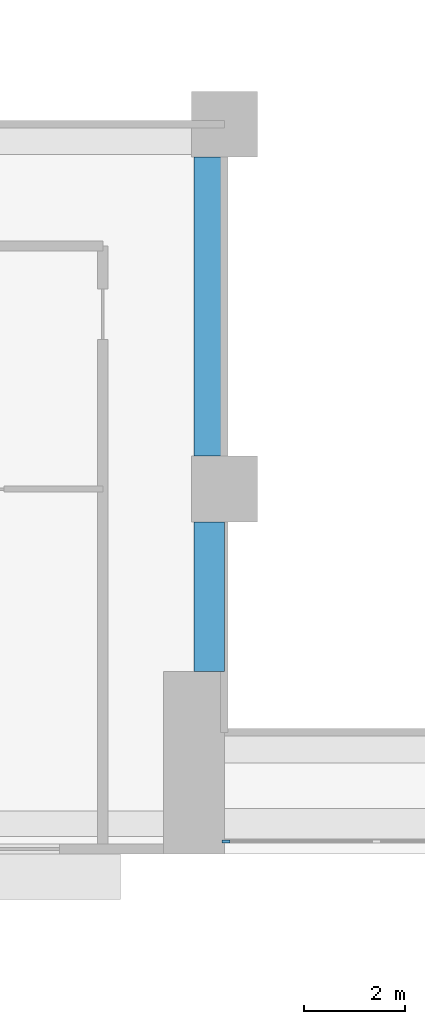
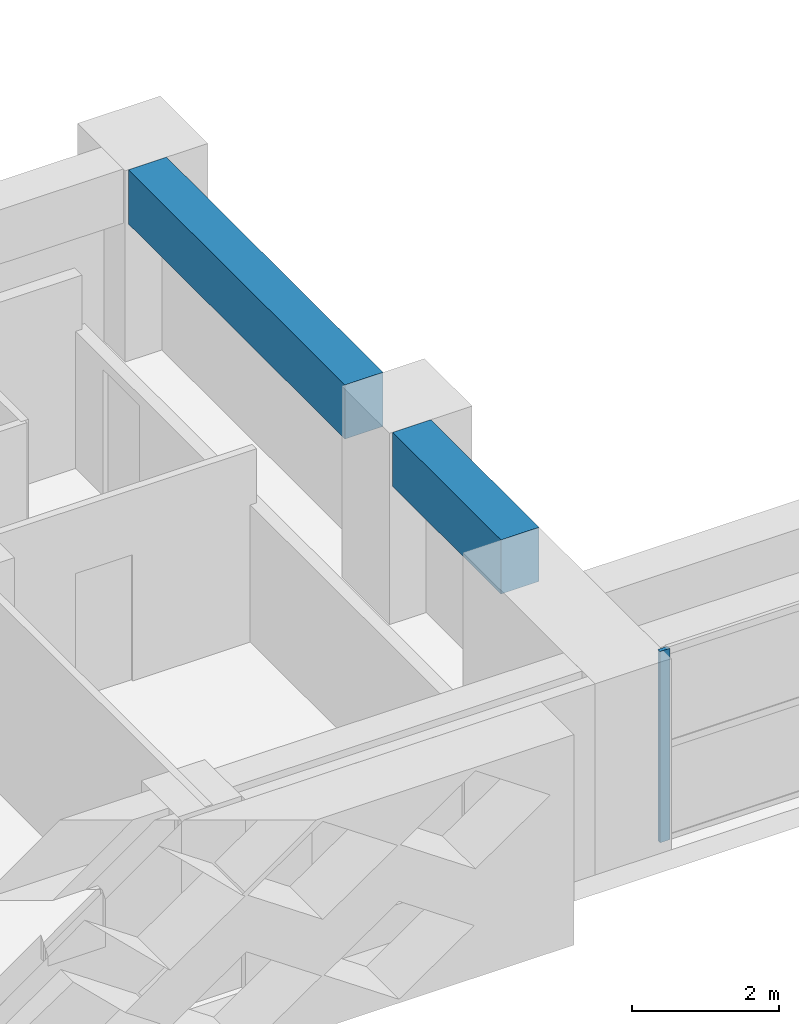
# One storey, part 2 of 16: 2 beams, 1 member, 1 element without a shape of its own.
"""IFC4 building model written with IfcOpenShell, lengths in metres."""

from ifc_helpers import new_model, si_unit, direction, frame, origin, origin_2d, place, context, subcontext, project, spatial, rectangle, extrude, source, transform, mapped, material, layer, layer_set, material_profile, profile_set, type_object, element, aggregate, save


model = new_model("IFC4")

# Units and contexts
model_context = context("Model", 3, precision=1e-05, world=origin(), true_north=direction((0.0, 1.0)))
body_context = subcontext(model_context, "Body", "Model", "MODEL_VIEW")
ifc_project = project(units=[si_unit("LENGTHUNIT", "METRE"), si_unit("AREAUNIT", "SQUARE_METRE"), si_unit("VOLUMEUNIT", "CUBIC_METRE"), si_unit("PLANEANGLEUNIT", "RADIAN"), si_unit("MASSUNIT", "GRAM", prefix="KILO")], contexts=[model_context])

# Site, building, storey
site_placement = place(None, origin())
site = spatial("IfcSite", under=ifc_project, at=site_placement, CompositionType="ELEMENT")
building_placement = place(site_placement, origin())
building = spatial("IfcBuilding", under=site, at=building_placement, Name="Saffron Iwan Residences", CompositionType="ELEMENT")
storey_placement = place(building_placement, frame((0.0, 0.0, 69.0)))
storey = spatial("IfcBuildingStorey", under=building, at=storey_placement, Name="L17", CompositionType="ELEMENT", Elevation=69.0)

# Beams
ifc_material_1 = material(Name="Concrete C60/75", Category="concrete")
ifc_material_profile_1 = material_profile(ifc_material_1, rectangle(XDim=0.60009765625, YDim=0.89990234375, at=origin_2d()), Name="RC 600x900")
ifc_profile_set_1 = profile_set([ifc_material_profile_1], Name="Concrete C60/75")
beam_type = type_object("IfcBeamType", Name="BEAM RC 600x900 C60/75 TOP 3180", PredefinedType="BEAM", material=ifc_profile_set_1)
shared_shape_1 = source(origin(), body_context, "Body", "SweptSolid", [
    extrude(rectangle(XDim=0.60009765625, YDim=0.89990234375, at=origin_2d()), origin(), (0.0, 0.0, 1.0), 2.949951171875),
])
beam_1_placement = place(storey_placement, frame((42.89990234375, 37.199951171875, 2.72998046875), z_axis=(0.0, 1.0, 0.0), x_axis=(-1.0, 0.0, 0.0)))
element("IfcBeam", 1, at=beam_1_placement, inside=storey, type_object=beam_type, Name="Atrium edge beam", PredefinedType="BEAM", context=body_context, shape_type="MappedRepresentation", body=[
    mapped(shared_shape_1, transform((0.0, 0.0, 0.0))),
])
shared_shape_2 = source(origin(), body_context, "Body", "SweptSolid", [
    extrude(rectangle(XDim=0.60009765625, YDim=0.89990234375, at=origin_2d()), origin(), (0.0, 0.0, 1.0), 5.900146484375),
])
beam_2_placement = place(storey_placement, frame((42.89990234375, 41.449951171875, 2.72998046875), z_axis=(0.0, 1.0, 0.0), x_axis=(-1.0, 0.0, 0.0)))
element("IfcBeam", 2, at=beam_2_placement, inside=storey, type_object=beam_type, Name="Atrium edge beam", PredefinedType="BEAM", context=body_context, shape_type="MappedRepresentation", body=[
    mapped(shared_shape_2, transform((0.0, 0.0, 0.0))),
])

# Curtain wall, member
ifc_material_2 = material(Name="Clear glass, laminated double glazed", Category="glass")
ifc_layer = layer(ifc_material_2, 0.199951171875)
ifc_layer_set = layer_set([ifc_layer], Name="Clear glass, laminated double glazed")
curtain_wall_type = type_object("IfcCurtainWallType", Name="CW-B IWAN PORTAL", PredefinedType="NOTDEFINED", material=ifc_layer_set)
curtain_wall_placement = place(storey_placement, origin())
curtain_wall = element("IfcCurtainWall", 3, at=curtain_wall_placement, inside=storey, type_object=curtain_wall_type, Name="Iwan portal glazing L17.1", PredefinedType="NOTDEFINED")
ifc_material_3 = material(Name="Aluminium 6063-T6", Category="aluminium")
ifc_material_profile_2 = material_profile(ifc_material_3, rectangle(XDim=0.06005859375, YDim=0.159912109375, at=origin_2d()), Name="CW-B MULLION 60 x 160")
ifc_profile_set_2 = profile_set([ifc_material_profile_2], Name="Aluminium 6063-T6")
member_type = type_object("IfcMemberType", Name="CW-B MULLION 60 x 160", PredefinedType="MULLION", material=ifc_profile_set_2)
shared_shape_3 = source(origin(), body_context, "Body", "SweptSolid", [
    extrude(rectangle(XDim=0.06005859375, YDim=0.159912109375, at=origin_2d()), origin(), (0.0, 0.0, 1.0), 3.179931640625),
])
member_placement = place(storey_placement, frame((43.22998046875, 33.85009765625, 0.0), z_axis=(0.0, 0.0, 1.0), x_axis=(0.0, 1.0, 0.0)))
member = element("IfcMember", 4, at=member_placement, type_object=member_type, Name="CW-B mullion 1", PredefinedType="MULLION", context=body_context, shape_type="MappedRepresentation", body=[
    mapped(shared_shape_3, transform((0.0, 0.0, 0.0))),
])
aggregate(curtain_wall, [member])

save(model, "model.ifc")
